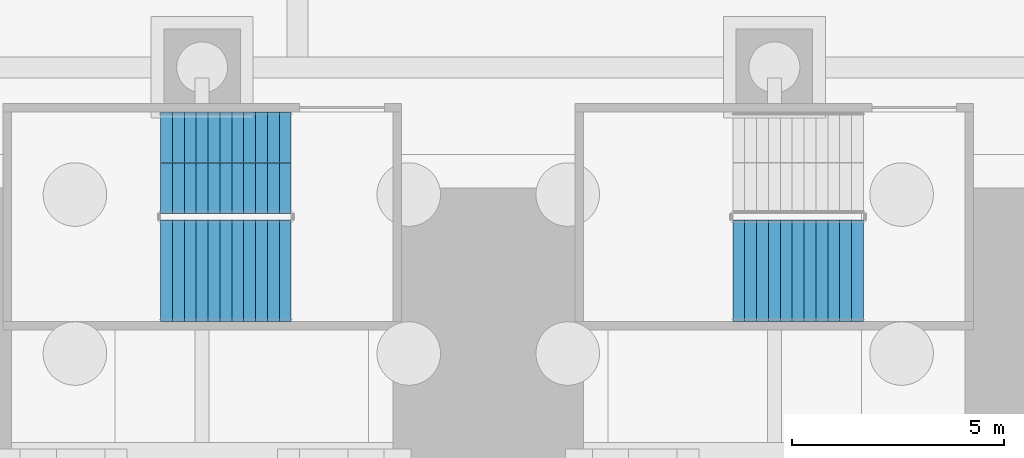
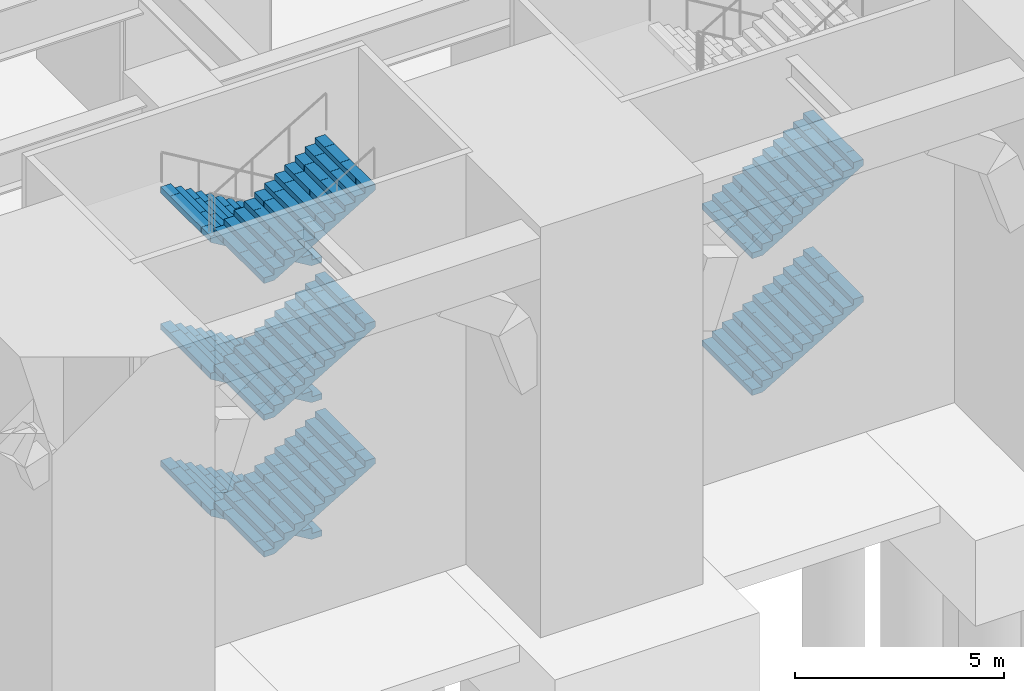
# One storey, part 14 of 34: 8 stair flights, 2 elements without a shape of their own.
"""IFC4 building model written with IfcOpenShell, lengths in metres."""

from ifc_helpers import new_model, si_unit, direction, frame, origin, place, context, subcontext, project, spatial, polyline, outline, extrude, material, type_object, element, aggregate, save


model = new_model("IFC4")

# Units and contexts
model_context = context("Model", 3, precision=1e-05, world=origin(), true_north=direction((0.0, 1.0)))
body_context = subcontext(model_context, "Body", "Model", "MODEL_VIEW")
ifc_project = project(units=[si_unit("LENGTHUNIT", "METRE"), si_unit("AREAUNIT", "SQUARE_METRE"), si_unit("VOLUMEUNIT", "CUBIC_METRE"), si_unit("PLANEANGLEUNIT", "RADIAN"), si_unit("MASSUNIT", "GRAM", prefix="KILO")], contexts=[model_context])

# Site, building, storey
site_placement = place(None, origin())
site = spatial("IfcSite", under=ifc_project, at=site_placement, CompositionType="ELEMENT")
building_placement = place(site_placement, origin())
building = spatial("IfcBuilding", under=site, at=building_placement, Name="Corbelhall Arena Tower", CompositionType="ELEMENT")
storey_placement = place(building_placement, origin())
storey = spatial("IfcBuildingStorey", under=building, at=storey_placement, Name="L00", CompositionType="ELEMENT", Elevation=0.0)

# Stair, stair flights
ifc_material = material(Name="Reinforced concrete C40/50", Category="concrete")
stair_type = type_object("IfcStairType", Name="AR-EXIT-STAIR", PredefinedType="HALF_TURN_STAIR", material=ifc_material)
stair_1_placement = place(storey_placement, origin())
stair_1 = element("IfcStair", 1, at=stair_1_placement, inside=storey, type_object=stair_type, Name="L00 exit stair AS13", PredefinedType="HALF_TURN_STAIR")
stair_flight_type = type_object("IfcStairFlightType", Name="AR-EXIT-FLIGHT", PredefinedType="STRAIGHT", material=ifc_material)
stair_flight_1_placement = place(storey_placement, frame((-18.14990234375, -31.5, 0.0), z_axis=(0.0, 0.0, 1.0), x_axis=(-1.0, 0.0, 0.0)))
stair_flight_1 = element("IfcStairFlight", 2, at=stair_flight_1_placement, type_object=stair_flight_type, Name="AS13 flight 1", NumberOfRisers=12, NumberOfTreads=11, PredefinedType="STRAIGHT", RiserHeight=0.166666667, TreadLength=0.28, context=body_context, shape_type="SweptSolid", body=[
    extrude(outline(polyline([(0.0, 0.0), (0.0, 0.166748046875), (0.280029296875, 0.166748046875), (0.280029296875, 0.333251953125), (0.56005859375, 0.333251953125), (0.56005859375, 0.5), (0.840087890625, 0.5), (0.840087890625, 0.666748046875), (1.1201171875, 0.666748046875), (1.1201171875, 0.833251953125), (1.39990234375, 0.833251953125), (1.39990234375, 1.0), (1.679931640625, 1.0), (1.679931640625, 1.166748046875), (1.9599609375, 1.166748046875), (1.9599609375, 1.333251953125), (2.239990234375, 1.333251953125), (2.239990234375, 1.5), (2.52001953125, 1.5), (2.52001953125, 1.666748046875), (2.800048828125, 1.666748046875), (2.800048828125, 1.833251953125), (3.080078125, 1.833251953125), (3.080078125, 2.0), (3.080078125, 1.658935546875), (0.29296875, 0.0), (0.0, 0.0)])), frame((0.0, 1.199951171875, 0.0), z_axis=(0.0, -1.0, 0.0), x_axis=(1.0, 0.0, 0.0)), (0.0, 0.0, 1.0), 0.449951171875),
    extrude(outline(polyline([(0.0, 0.0), (0.0, 0.166748046875), (0.280029296875, 0.166748046875), (0.280029296875, 0.333251953125), (0.56005859375, 0.333251953125), (0.56005859375, 0.5), (0.840087890625, 0.5), (0.840087890625, 0.666748046875), (1.1201171875, 0.666748046875), (1.1201171875, 0.833251953125), (1.39990234375, 0.833251953125), (1.39990234375, 1.0), (1.679931640625, 1.0), (1.679931640625, 1.166748046875), (1.9599609375, 1.166748046875), (1.9599609375, 1.333251953125), (2.239990234375, 1.333251953125), (2.239990234375, 1.5), (2.52001953125, 1.5), (2.52001953125, 1.666748046875), (2.800048828125, 1.666748046875), (2.800048828125, 1.833251953125), (3.080078125, 1.833251953125), (3.080078125, 2.0), (3.080078125, 1.658935546875), (0.29296875, 0.0), (0.0, 0.0)])), frame((0.0, 0.745849609375, 0.0), z_axis=(0.0, -1.0, 0.0), x_axis=(1.0, 0.0, 0.0)), (0.0, 0.0, 1.0), 0.743896484375),
    extrude(outline(polyline([(0.0, 0.0), (0.0, 0.166748046875), (0.280029296875, 0.166748046875), (0.280029296875, 0.333251953125), (0.56005859375, 0.333251953125), (0.56005859375, 0.5), (0.840087890625, 0.5), (0.840087890625, 0.666748046875), (1.1201171875, 0.666748046875), (1.1201171875, 0.833251953125), (1.39990234375, 0.833251953125), (1.39990234375, 1.0), (1.679931640625, 1.0), (1.679931640625, 1.166748046875), (1.9599609375, 1.166748046875), (1.9599609375, 1.333251953125), (2.239990234375, 1.333251953125), (2.239990234375, 1.5), (2.52001953125, 1.5), (2.52001953125, 1.666748046875), (2.800048828125, 1.666748046875), (2.800048828125, 1.833251953125), (3.080078125, 1.833251953125), (3.080078125, 2.0), (3.080078125, 1.658935546875), (0.29296875, 0.0), (0.0, 0.0)])), frame((0.0, -0.001953125, 0.0), z_axis=(0.0, -1.0, 0.0), x_axis=(1.0, 0.0, 0.0)), (0.0, 0.0, 1.0), 0.743896484375),
    extrude(outline(polyline([(0.0, 0.0), (0.0, 0.166748046875), (0.280029296875, 0.166748046875), (0.280029296875, 0.333251953125), (0.56005859375, 0.333251953125), (0.56005859375, 0.5), (0.840087890625, 0.5), (0.840087890625, 0.666748046875), (1.1201171875, 0.666748046875), (1.1201171875, 0.833251953125), (1.39990234375, 0.833251953125), (1.39990234375, 1.0), (1.679931640625, 1.0), (1.679931640625, 1.166748046875), (1.9599609375, 1.166748046875), (1.9599609375, 1.333251953125), (2.239990234375, 1.333251953125), (2.239990234375, 1.5), (2.52001953125, 1.5), (2.52001953125, 1.666748046875), (2.800048828125, 1.666748046875), (2.800048828125, 1.833251953125), (3.080078125, 1.833251953125), (3.080078125, 2.0), (3.080078125, 1.658935546875), (0.29296875, 0.0), (0.0, 0.0)])), frame((0.0, -0.75, 0.0), z_axis=(0.0, -1.0, 0.0), x_axis=(1.0, 0.0, 0.0)), (0.0, 0.0, 1.0), 0.449951171875),
])
stair_flight_2_placement = place(storey_placement, frame((-21.22998046875, -34.050048828125, 2.0), z_axis=(0.0, 0.0, 1.0), x_axis=(1.0, 0.0, 0.0)))
stair_flight_2 = element("IfcStairFlight", 3, at=stair_flight_2_placement, type_object=stair_flight_type, Name="AS13 flight 2", NumberOfRisers=12, NumberOfTreads=11, PredefinedType="STRAIGHT", RiserHeight=0.166666667, TreadLength=0.28, context=body_context, shape_type="SweptSolid", body=[
    extrude(outline(polyline([(0.0, 0.0), (0.0, 0.166748046875), (0.280029296875, 0.166748046875), (0.280029296875, 0.333251953125), (0.56005859375, 0.333251953125), (0.56005859375, 0.5), (0.840087890625, 0.5), (0.840087890625, 0.666748046875), (1.1201171875, 0.666748046875), (1.1201171875, 0.833251953125), (1.39990234375, 0.833251953125), (1.39990234375, 1.0), (1.679931640625, 1.0), (1.679931640625, 1.166748046875), (1.9599609375, 1.166748046875), (1.9599609375, 1.333251953125), (2.239990234375, 1.333251953125), (2.239990234375, 1.5), (2.52001953125, 1.5), (2.52001953125, 1.666748046875), (2.800048828125, 1.666748046875), (2.800048828125, 1.833251953125), (3.080078125, 1.833251953125), (3.080078125, 2.0), (3.080078125, 1.658935546875), (0.29296875, 0.0), (0.0, 0.0)])), frame((0.0, 1.199951171875, 0.0), z_axis=(0.0, -1.0, 0.0), x_axis=(1.0, 0.0, 0.0)), (0.0, 0.0, 1.0), 0.449951171875),
    extrude(outline(polyline([(0.0, 0.0), (0.0, 0.166748046875), (0.280029296875, 0.166748046875), (0.280029296875, 0.333251953125), (0.56005859375, 0.333251953125), (0.56005859375, 0.5), (0.840087890625, 0.5), (0.840087890625, 0.666748046875), (1.1201171875, 0.666748046875), (1.1201171875, 0.833251953125), (1.39990234375, 0.833251953125), (1.39990234375, 1.0), (1.679931640625, 1.0), (1.679931640625, 1.166748046875), (1.9599609375, 1.166748046875), (1.9599609375, 1.333251953125), (2.239990234375, 1.333251953125), (2.239990234375, 1.5), (2.52001953125, 1.5), (2.52001953125, 1.666748046875), (2.800048828125, 1.666748046875), (2.800048828125, 1.833251953125), (3.080078125, 1.833251953125), (3.080078125, 2.0), (3.080078125, 1.658935546875), (0.29296875, 0.0), (0.0, 0.0)])), frame((0.0, 0.745849609375, 0.0), z_axis=(0.0, -1.0, 0.0), x_axis=(1.0, 0.0, 0.0)), (0.0, 0.0, 1.0), 0.743896484375),
    extrude(outline(polyline([(0.0, 0.0), (0.0, 0.166748046875), (0.280029296875, 0.166748046875), (0.280029296875, 0.333251953125), (0.56005859375, 0.333251953125), (0.56005859375, 0.5), (0.840087890625, 0.5), (0.840087890625, 0.666748046875), (1.1201171875, 0.666748046875), (1.1201171875, 0.833251953125), (1.39990234375, 0.833251953125), (1.39990234375, 1.0), (1.679931640625, 1.0), (1.679931640625, 1.166748046875), (1.9599609375, 1.166748046875), (1.9599609375, 1.333251953125), (2.239990234375, 1.333251953125), (2.239990234375, 1.5), (2.52001953125, 1.5), (2.52001953125, 1.666748046875), (2.800048828125, 1.666748046875), (2.800048828125, 1.833251953125), (3.080078125, 1.833251953125), (3.080078125, 2.0), (3.080078125, 1.658935546875), (0.29296875, 0.0), (0.0, 0.0)])), frame((0.0, -0.001953125, 0.0), z_axis=(0.0, -1.0, 0.0), x_axis=(1.0, 0.0, 0.0)), (0.0, 0.0, 1.0), 0.743896484375),
    extrude(outline(polyline([(0.0, 0.0), (0.0, 0.166748046875), (0.280029296875, 0.166748046875), (0.280029296875, 0.333251953125), (0.56005859375, 0.333251953125), (0.56005859375, 0.5), (0.840087890625, 0.5), (0.840087890625, 0.666748046875), (1.1201171875, 0.666748046875), (1.1201171875, 0.833251953125), (1.39990234375, 0.833251953125), (1.39990234375, 1.0), (1.679931640625, 1.0), (1.679931640625, 1.166748046875), (1.9599609375, 1.166748046875), (1.9599609375, 1.333251953125), (2.239990234375, 1.333251953125), (2.239990234375, 1.5), (2.52001953125, 1.5), (2.52001953125, 1.666748046875), (2.800048828125, 1.666748046875), (2.800048828125, 1.833251953125), (3.080078125, 1.833251953125), (3.080078125, 2.0), (3.080078125, 1.658935546875), (0.29296875, 0.0), (0.0, 0.0)])), frame((0.0, -0.75, 0.0), z_axis=(0.0, -1.0, 0.0), x_axis=(1.0, 0.0, 0.0)), (0.0, 0.0, 1.0), 0.449951171875),
])
stair_flight_3_placement = place(storey_placement, frame((-18.14990234375, -31.5, 4.0), z_axis=(0.0, 0.0, 1.0), x_axis=(-1.0, 0.0, 0.0)))
stair_flight_3 = element("IfcStairFlight", 4, at=stair_flight_3_placement, type_object=stair_flight_type, Name="AS13 flight 3", NumberOfRisers=12, NumberOfTreads=11, PredefinedType="STRAIGHT", RiserHeight=0.166666667, TreadLength=0.28, context=body_context, shape_type="SweptSolid", body=[
    extrude(outline(polyline([(0.0, 0.0), (0.0, 0.166748046875), (0.280029296875, 0.166748046875), (0.280029296875, 0.333251953125), (0.56005859375, 0.333251953125), (0.56005859375, 0.5), (0.840087890625, 0.5), (0.840087890625, 0.666748046875), (1.1201171875, 0.666748046875), (1.1201171875, 0.833251953125), (1.39990234375, 0.833251953125), (1.39990234375, 1.0), (1.679931640625, 1.0), (1.679931640625, 1.166748046875), (1.9599609375, 1.166748046875), (1.9599609375, 1.333251953125), (2.239990234375, 1.333251953125), (2.239990234375, 1.5), (2.52001953125, 1.5), (2.52001953125, 1.666748046875), (2.800048828125, 1.666748046875), (2.800048828125, 1.833251953125), (3.080078125, 1.833251953125), (3.080078125, 2.0), (3.080078125, 1.658935546875), (0.29296875, 0.0), (0.0, 0.0)])), frame((0.0, 1.199951171875, 0.0), z_axis=(0.0, -1.0, 0.0), x_axis=(1.0, 0.0, 0.0)), (0.0, 0.0, 1.0), 0.449951171875),
    extrude(outline(polyline([(0.0, 0.0), (0.0, 0.166748046875), (0.280029296875, 0.166748046875), (0.280029296875, 0.333251953125), (0.56005859375, 0.333251953125), (0.56005859375, 0.5), (0.840087890625, 0.5), (0.840087890625, 0.666748046875), (1.1201171875, 0.666748046875), (1.1201171875, 0.833251953125), (1.39990234375, 0.833251953125), (1.39990234375, 1.0), (1.679931640625, 1.0), (1.679931640625, 1.166748046875), (1.9599609375, 1.166748046875), (1.9599609375, 1.333251953125), (2.239990234375, 1.333251953125), (2.239990234375, 1.5), (2.52001953125, 1.5), (2.52001953125, 1.666748046875), (2.800048828125, 1.666748046875), (2.800048828125, 1.833251953125), (3.080078125, 1.833251953125), (3.080078125, 2.0), (3.080078125, 1.658935546875), (0.29296875, 0.0), (0.0, 0.0)])), frame((0.0, 0.745849609375, 0.0), z_axis=(0.0, -1.0, 0.0), x_axis=(1.0, 0.0, 0.0)), (0.0, 0.0, 1.0), 0.743896484375),
    extrude(outline(polyline([(0.0, 0.0), (0.0, 0.166748046875), (0.280029296875, 0.166748046875), (0.280029296875, 0.333251953125), (0.56005859375, 0.333251953125), (0.56005859375, 0.5), (0.840087890625, 0.5), (0.840087890625, 0.666748046875), (1.1201171875, 0.666748046875), (1.1201171875, 0.833251953125), (1.39990234375, 0.833251953125), (1.39990234375, 1.0), (1.679931640625, 1.0), (1.679931640625, 1.166748046875), (1.9599609375, 1.166748046875), (1.9599609375, 1.333251953125), (2.239990234375, 1.333251953125), (2.239990234375, 1.5), (2.52001953125, 1.5), (2.52001953125, 1.666748046875), (2.800048828125, 1.666748046875), (2.800048828125, 1.833251953125), (3.080078125, 1.833251953125), (3.080078125, 2.0), (3.080078125, 1.658935546875), (0.29296875, 0.0), (0.0, 0.0)])), frame((0.0, -0.001953125, 0.0), z_axis=(0.0, -1.0, 0.0), x_axis=(1.0, 0.0, 0.0)), (0.0, 0.0, 1.0), 0.743896484375),
    extrude(outline(polyline([(0.0, 0.0), (0.0, 0.166748046875), (0.280029296875, 0.166748046875), (0.280029296875, 0.333251953125), (0.56005859375, 0.333251953125), (0.56005859375, 0.5), (0.840087890625, 0.5), (0.840087890625, 0.666748046875), (1.1201171875, 0.666748046875), (1.1201171875, 0.833251953125), (1.39990234375, 0.833251953125), (1.39990234375, 1.0), (1.679931640625, 1.0), (1.679931640625, 1.166748046875), (1.9599609375, 1.166748046875), (1.9599609375, 1.333251953125), (2.239990234375, 1.333251953125), (2.239990234375, 1.5), (2.52001953125, 1.5), (2.52001953125, 1.666748046875), (2.800048828125, 1.666748046875), (2.800048828125, 1.833251953125), (3.080078125, 1.833251953125), (3.080078125, 2.0), (3.080078125, 1.658935546875), (0.29296875, 0.0), (0.0, 0.0)])), frame((0.0, -0.75, 0.0), z_axis=(0.0, -1.0, 0.0), x_axis=(1.0, 0.0, 0.0)), (0.0, 0.0, 1.0), 0.449951171875),
])
stair_flight_4_placement = place(storey_placement, frame((-21.22998046875, -34.050048828125, 6.0), z_axis=(0.0, 0.0, 1.0), x_axis=(1.0, 0.0, 0.0)))
stair_flight_4 = element("IfcStairFlight", 5, at=stair_flight_4_placement, type_object=stair_flight_type, Name="AS13 flight 4", NumberOfRisers=12, NumberOfTreads=11, PredefinedType="STRAIGHT", RiserHeight=0.166666667, TreadLength=0.28, context=body_context, shape_type="SweptSolid", body=[
    extrude(outline(polyline([(0.0, 0.0), (0.0, 0.166748046875), (0.280029296875, 0.166748046875), (0.280029296875, 0.333251953125), (0.56005859375, 0.333251953125), (0.56005859375, 0.5), (0.840087890625, 0.5), (0.840087890625, 0.666748046875), (1.1201171875, 0.666748046875), (1.1201171875, 0.833251953125), (1.39990234375, 0.833251953125), (1.39990234375, 1.0), (1.679931640625, 1.0), (1.679931640625, 1.166748046875), (1.9599609375, 1.166748046875), (1.9599609375, 1.333251953125), (2.239990234375, 1.333251953125), (2.239990234375, 1.5), (2.52001953125, 1.5), (2.52001953125, 1.666748046875), (2.800048828125, 1.666748046875), (2.800048828125, 1.833251953125), (3.080078125, 1.833251953125), (3.080078125, 2.0), (3.080078125, 1.658935546875), (0.29296875, 0.0), (0.0, 0.0)])), frame((0.0, 1.199951171875, 0.0), z_axis=(0.0, -1.0, 0.0), x_axis=(1.0, 0.0, 0.0)), (0.0, 0.0, 1.0), 0.449951171875),
    extrude(outline(polyline([(0.0, 0.0), (0.0, 0.166748046875), (0.280029296875, 0.166748046875), (0.280029296875, 0.333251953125), (0.56005859375, 0.333251953125), (0.56005859375, 0.5), (0.840087890625, 0.5), (0.840087890625, 0.666748046875), (1.1201171875, 0.666748046875), (1.1201171875, 0.833251953125), (1.39990234375, 0.833251953125), (1.39990234375, 1.0), (1.679931640625, 1.0), (1.679931640625, 1.166748046875), (1.9599609375, 1.166748046875), (1.9599609375, 1.333251953125), (2.239990234375, 1.333251953125), (2.239990234375, 1.5), (2.52001953125, 1.5), (2.52001953125, 1.666748046875), (2.800048828125, 1.666748046875), (2.800048828125, 1.833251953125), (3.080078125, 1.833251953125), (3.080078125, 2.0), (3.080078125, 1.658935546875), (0.29296875, 0.0), (0.0, 0.0)])), frame((0.0, 0.745849609375, 0.0), z_axis=(0.0, -1.0, 0.0), x_axis=(1.0, 0.0, 0.0)), (0.0, 0.0, 1.0), 0.743896484375),
    extrude(outline(polyline([(0.0, 0.0), (0.0, 0.166748046875), (0.280029296875, 0.166748046875), (0.280029296875, 0.333251953125), (0.56005859375, 0.333251953125), (0.56005859375, 0.5), (0.840087890625, 0.5), (0.840087890625, 0.666748046875), (1.1201171875, 0.666748046875), (1.1201171875, 0.833251953125), (1.39990234375, 0.833251953125), (1.39990234375, 1.0), (1.679931640625, 1.0), (1.679931640625, 1.166748046875), (1.9599609375, 1.166748046875), (1.9599609375, 1.333251953125), (2.239990234375, 1.333251953125), (2.239990234375, 1.5), (2.52001953125, 1.5), (2.52001953125, 1.666748046875), (2.800048828125, 1.666748046875), (2.800048828125, 1.833251953125), (3.080078125, 1.833251953125), (3.080078125, 2.0), (3.080078125, 1.658935546875), (0.29296875, 0.0), (0.0, 0.0)])), frame((0.0, -0.001953125, 0.0), z_axis=(0.0, -1.0, 0.0), x_axis=(1.0, 0.0, 0.0)), (0.0, 0.0, 1.0), 0.743896484375),
    extrude(outline(polyline([(0.0, 0.0), (0.0, 0.166748046875), (0.280029296875, 0.166748046875), (0.280029296875, 0.333251953125), (0.56005859375, 0.333251953125), (0.56005859375, 0.5), (0.840087890625, 0.5), (0.840087890625, 0.666748046875), (1.1201171875, 0.666748046875), (1.1201171875, 0.833251953125), (1.39990234375, 0.833251953125), (1.39990234375, 1.0), (1.679931640625, 1.0), (1.679931640625, 1.166748046875), (1.9599609375, 1.166748046875), (1.9599609375, 1.333251953125), (2.239990234375, 1.333251953125), (2.239990234375, 1.5), (2.52001953125, 1.5), (2.52001953125, 1.666748046875), (2.800048828125, 1.666748046875), (2.800048828125, 1.833251953125), (3.080078125, 1.833251953125), (3.080078125, 2.0), (3.080078125, 1.658935546875), (0.29296875, 0.0), (0.0, 0.0)])), frame((0.0, -0.75, 0.0), z_axis=(0.0, -1.0, 0.0), x_axis=(1.0, 0.0, 0.0)), (0.0, 0.0, 1.0), 0.449951171875),
])
stair_flight_5_placement = place(storey_placement, frame((-18.14990234375, -31.5, 8.0), z_axis=(0.0, 0.0, 1.0), x_axis=(-1.0, 0.0, 0.0)))
stair_flight_5 = element("IfcStairFlight", 6, at=stair_flight_5_placement, type_object=stair_flight_type, Name="AS13 flight 5", NumberOfRisers=12, NumberOfTreads=11, PredefinedType="STRAIGHT", RiserHeight=0.166666667, TreadLength=0.28, context=body_context, shape_type="SweptSolid", body=[
    extrude(outline(polyline([(0.0, 0.0), (0.0, 0.166748046875), (0.280029296875, 0.166748046875), (0.280029296875, 0.333251953125), (0.56005859375, 0.333251953125), (0.56005859375, 0.5), (0.840087890625, 0.5), (0.840087890625, 0.666748046875), (1.1201171875, 0.666748046875), (1.1201171875, 0.833251953125), (1.39990234375, 0.833251953125), (1.39990234375, 1.0), (1.679931640625, 1.0), (1.679931640625, 1.166748046875), (1.9599609375, 1.166748046875), (1.9599609375, 1.333251953125), (2.239990234375, 1.333251953125), (2.239990234375, 1.5), (2.52001953125, 1.5), (2.52001953125, 1.666748046875), (2.800048828125, 1.666748046875), (2.800048828125, 1.833251953125), (3.080078125, 1.833251953125), (3.080078125, 2.0), (3.080078125, 1.658935546875), (0.29296875, 0.0), (0.0, 0.0)])), frame((0.0, 1.199951171875, 0.0), z_axis=(0.0, -1.0, 0.0), x_axis=(1.0, 0.0, 0.0)), (0.0, 0.0, 1.0), 0.449951171875),
    extrude(outline(polyline([(0.0, 0.0), (0.0, 0.166748046875), (0.280029296875, 0.166748046875), (0.280029296875, 0.333251953125), (0.56005859375, 0.333251953125), (0.56005859375, 0.5), (0.840087890625, 0.5), (0.840087890625, 0.666748046875), (1.1201171875, 0.666748046875), (1.1201171875, 0.833251953125), (1.39990234375, 0.833251953125), (1.39990234375, 1.0), (1.679931640625, 1.0), (1.679931640625, 1.166748046875), (1.9599609375, 1.166748046875), (1.9599609375, 1.333251953125), (2.239990234375, 1.333251953125), (2.239990234375, 1.5), (2.52001953125, 1.5), (2.52001953125, 1.666748046875), (2.800048828125, 1.666748046875), (2.800048828125, 1.833251953125), (3.080078125, 1.833251953125), (3.080078125, 2.0), (3.080078125, 1.658935546875), (0.29296875, 0.0), (0.0, 0.0)])), frame((0.0, 0.745849609375, 0.0), z_axis=(0.0, -1.0, 0.0), x_axis=(1.0, 0.0, 0.0)), (0.0, 0.0, 1.0), 0.743896484375),
    extrude(outline(polyline([(0.0, 0.0), (0.0, 0.166748046875), (0.280029296875, 0.166748046875), (0.280029296875, 0.333251953125), (0.56005859375, 0.333251953125), (0.56005859375, 0.5), (0.840087890625, 0.5), (0.840087890625, 0.666748046875), (1.1201171875, 0.666748046875), (1.1201171875, 0.833251953125), (1.39990234375, 0.833251953125), (1.39990234375, 1.0), (1.679931640625, 1.0), (1.679931640625, 1.166748046875), (1.9599609375, 1.166748046875), (1.9599609375, 1.333251953125), (2.239990234375, 1.333251953125), (2.239990234375, 1.5), (2.52001953125, 1.5), (2.52001953125, 1.666748046875), (2.800048828125, 1.666748046875), (2.800048828125, 1.833251953125), (3.080078125, 1.833251953125), (3.080078125, 2.0), (3.080078125, 1.658935546875), (0.29296875, 0.0), (0.0, 0.0)])), frame((0.0, -0.001953125, 0.0), z_axis=(0.0, -1.0, 0.0), x_axis=(1.0, 0.0, 0.0)), (0.0, 0.0, 1.0), 0.743896484375),
    extrude(outline(polyline([(0.0, 0.0), (0.0, 0.166748046875), (0.280029296875, 0.166748046875), (0.280029296875, 0.333251953125), (0.56005859375, 0.333251953125), (0.56005859375, 0.5), (0.840087890625, 0.5), (0.840087890625, 0.666748046875), (1.1201171875, 0.666748046875), (1.1201171875, 0.833251953125), (1.39990234375, 0.833251953125), (1.39990234375, 1.0), (1.679931640625, 1.0), (1.679931640625, 1.166748046875), (1.9599609375, 1.166748046875), (1.9599609375, 1.333251953125), (2.239990234375, 1.333251953125), (2.239990234375, 1.5), (2.52001953125, 1.5), (2.52001953125, 1.666748046875), (2.800048828125, 1.666748046875), (2.800048828125, 1.833251953125), (3.080078125, 1.833251953125), (3.080078125, 2.0), (3.080078125, 1.658935546875), (0.29296875, 0.0), (0.0, 0.0)])), frame((0.0, -0.75, 0.0), z_axis=(0.0, -1.0, 0.0), x_axis=(1.0, 0.0, 0.0)), (0.0, 0.0, 1.0), 0.449951171875),
])
stair_flight_6_placement = place(storey_placement, frame((-21.22998046875, -34.050048828125, 10.0), z_axis=(0.0, 0.0, 1.0), x_axis=(1.0, 0.0, 0.0)))
stair_flight_6 = element("IfcStairFlight", 7, at=stair_flight_6_placement, type_object=stair_flight_type, Name="AS13 flight 6", NumberOfRisers=12, NumberOfTreads=11, PredefinedType="STRAIGHT", RiserHeight=0.166666667, TreadLength=0.28, context=body_context, shape_type="SweptSolid", body=[
    extrude(outline(polyline([(0.0, 0.0), (0.0, 0.166748046875), (0.280029296875, 0.166748046875), (0.280029296875, 0.333251953125), (0.56005859375, 0.333251953125), (0.56005859375, 0.5), (0.840087890625, 0.5), (0.840087890625, 0.666748046875), (1.1201171875, 0.666748046875), (1.1201171875, 0.833251953125), (1.39990234375, 0.833251953125), (1.39990234375, 1.0), (1.679931640625, 1.0), (1.679931640625, 1.166748046875), (1.9599609375, 1.166748046875), (1.9599609375, 1.333251953125), (2.239990234375, 1.333251953125), (2.239990234375, 1.5), (2.52001953125, 1.5), (2.52001953125, 1.666748046875), (2.800048828125, 1.666748046875), (2.800048828125, 1.833251953125), (3.080078125, 1.833251953125), (3.080078125, 2.0), (3.080078125, 1.658935546875), (0.29296875, 0.0), (0.0, 0.0)])), frame((0.0, 1.199951171875, 0.0), z_axis=(0.0, -1.0, 0.0), x_axis=(1.0, 0.0, 0.0)), (0.0, 0.0, 1.0), 0.449951171875),
    extrude(outline(polyline([(0.0, 0.0), (0.0, 0.166748046875), (0.280029296875, 0.166748046875), (0.280029296875, 0.333251953125), (0.56005859375, 0.333251953125), (0.56005859375, 0.5), (0.840087890625, 0.5), (0.840087890625, 0.666748046875), (1.1201171875, 0.666748046875), (1.1201171875, 0.833251953125), (1.39990234375, 0.833251953125), (1.39990234375, 1.0), (1.679931640625, 1.0), (1.679931640625, 1.166748046875), (1.9599609375, 1.166748046875), (1.9599609375, 1.333251953125), (2.239990234375, 1.333251953125), (2.239990234375, 1.5), (2.52001953125, 1.5), (2.52001953125, 1.666748046875), (2.800048828125, 1.666748046875), (2.800048828125, 1.833251953125), (3.080078125, 1.833251953125), (3.080078125, 2.0), (3.080078125, 1.658935546875), (0.29296875, 0.0), (0.0, 0.0)])), frame((0.0, 0.745849609375, 0.0), z_axis=(0.0, -1.0, 0.0), x_axis=(1.0, 0.0, 0.0)), (0.0, 0.0, 1.0), 0.743896484375),
    extrude(outline(polyline([(0.0, 0.0), (0.0, 0.166748046875), (0.280029296875, 0.166748046875), (0.280029296875, 0.333251953125), (0.56005859375, 0.333251953125), (0.56005859375, 0.5), (0.840087890625, 0.5), (0.840087890625, 0.666748046875), (1.1201171875, 0.666748046875), (1.1201171875, 0.833251953125), (1.39990234375, 0.833251953125), (1.39990234375, 1.0), (1.679931640625, 1.0), (1.679931640625, 1.166748046875), (1.9599609375, 1.166748046875), (1.9599609375, 1.333251953125), (2.239990234375, 1.333251953125), (2.239990234375, 1.5), (2.52001953125, 1.5), (2.52001953125, 1.666748046875), (2.800048828125, 1.666748046875), (2.800048828125, 1.833251953125), (3.080078125, 1.833251953125), (3.080078125, 2.0), (3.080078125, 1.658935546875), (0.29296875, 0.0), (0.0, 0.0)])), frame((0.0, -0.001953125, 0.0), z_axis=(0.0, -1.0, 0.0), x_axis=(1.0, 0.0, 0.0)), (0.0, 0.0, 1.0), 0.743896484375),
    extrude(outline(polyline([(0.0, 0.0), (0.0, 0.166748046875), (0.280029296875, 0.166748046875), (0.280029296875, 0.333251953125), (0.56005859375, 0.333251953125), (0.56005859375, 0.5), (0.840087890625, 0.5), (0.840087890625, 0.666748046875), (1.1201171875, 0.666748046875), (1.1201171875, 0.833251953125), (1.39990234375, 0.833251953125), (1.39990234375, 1.0), (1.679931640625, 1.0), (1.679931640625, 1.166748046875), (1.9599609375, 1.166748046875), (1.9599609375, 1.333251953125), (2.239990234375, 1.333251953125), (2.239990234375, 1.5), (2.52001953125, 1.5), (2.52001953125, 1.666748046875), (2.800048828125, 1.666748046875), (2.800048828125, 1.833251953125), (3.080078125, 1.833251953125), (3.080078125, 2.0), (3.080078125, 1.658935546875), (0.29296875, 0.0), (0.0, 0.0)])), frame((0.0, -0.75, 0.0), z_axis=(0.0, -1.0, 0.0), x_axis=(1.0, 0.0, 0.0)), (0.0, 0.0, 1.0), 0.449951171875),
])
aggregate(stair_1, [stair_flight_1, stair_flight_2, stair_flight_3, stair_flight_4, stair_flight_5, stair_flight_6])

stair_2_placement = place(storey_placement, origin())
stair_2 = element("IfcStair", 8, at=stair_2_placement, inside=storey, type_object=stair_type, Name="L00 exit stair AS14", PredefinedType="HALF_TURN_STAIR")
stair_flight_7_placement = place(storey_placement, frame((-7.72998046875, -34.050048828125, 2.0), z_axis=(0.0, 0.0, 1.0), x_axis=(1.0, 0.0, 0.0)))
stair_flight_7 = element("IfcStairFlight", 9, at=stair_flight_7_placement, type_object=stair_flight_type, Name="AS14 flight 2", NumberOfRisers=12, NumberOfTreads=11, PredefinedType="STRAIGHT", RiserHeight=0.166666667, TreadLength=0.28, context=body_context, shape_type="SweptSolid", body=[
    extrude(outline(polyline([(0.0, 0.0), (0.0, 0.166748046875), (0.280029296875, 0.166748046875), (0.280029296875, 0.333251953125), (0.56005859375, 0.333251953125), (0.56005859375, 0.5), (0.840087890625, 0.5), (0.840087890625, 0.666748046875), (1.1201171875, 0.666748046875), (1.1201171875, 0.833251953125), (1.39990234375, 0.833251953125), (1.39990234375, 1.0), (1.679931640625, 1.0), (1.679931640625, 1.166748046875), (1.9599609375, 1.166748046875), (1.9599609375, 1.333251953125), (2.239990234375, 1.333251953125), (2.239990234375, 1.5), (2.52001953125, 1.5), (2.52001953125, 1.666748046875), (2.800048828125, 1.666748046875), (2.800048828125, 1.833251953125), (3.080078125, 1.833251953125), (3.080078125, 2.0), (3.080078125, 1.658935546875), (0.29296875, 0.0), (0.0, 0.0)])), frame((0.0, 1.199951171875, 0.0), z_axis=(0.0, -1.0, 0.0), x_axis=(1.0, 0.0, 0.0)), (0.0, 0.0, 1.0), 0.449951171875),
    extrude(outline(polyline([(0.0, 0.0), (0.0, 0.166748046875), (0.280029296875, 0.166748046875), (0.280029296875, 0.333251953125), (0.56005859375, 0.333251953125), (0.56005859375, 0.5), (0.840087890625, 0.5), (0.840087890625, 0.666748046875), (1.1201171875, 0.666748046875), (1.1201171875, 0.833251953125), (1.39990234375, 0.833251953125), (1.39990234375, 1.0), (1.679931640625, 1.0), (1.679931640625, 1.166748046875), (1.9599609375, 1.166748046875), (1.9599609375, 1.333251953125), (2.239990234375, 1.333251953125), (2.239990234375, 1.5), (2.52001953125, 1.5), (2.52001953125, 1.666748046875), (2.800048828125, 1.666748046875), (2.800048828125, 1.833251953125), (3.080078125, 1.833251953125), (3.080078125, 2.0), (3.080078125, 1.658935546875), (0.29296875, 0.0), (0.0, 0.0)])), frame((0.0, 0.745849609375, 0.0), z_axis=(0.0, -1.0, 0.0), x_axis=(1.0, 0.0, 0.0)), (0.0, 0.0, 1.0), 0.743896484375),
    extrude(outline(polyline([(0.0, 0.0), (0.0, 0.166748046875), (0.280029296875, 0.166748046875), (0.280029296875, 0.333251953125), (0.56005859375, 0.333251953125), (0.56005859375, 0.5), (0.840087890625, 0.5), (0.840087890625, 0.666748046875), (1.1201171875, 0.666748046875), (1.1201171875, 0.833251953125), (1.39990234375, 0.833251953125), (1.39990234375, 1.0), (1.679931640625, 1.0), (1.679931640625, 1.166748046875), (1.9599609375, 1.166748046875), (1.9599609375, 1.333251953125), (2.239990234375, 1.333251953125), (2.239990234375, 1.5), (2.52001953125, 1.5), (2.52001953125, 1.666748046875), (2.800048828125, 1.666748046875), (2.800048828125, 1.833251953125), (3.080078125, 1.833251953125), (3.080078125, 2.0), (3.080078125, 1.658935546875), (0.29296875, 0.0), (0.0, 0.0)])), frame((0.0, -0.001953125, 0.0), z_axis=(0.0, -1.0, 0.0), x_axis=(1.0, 0.0, 0.0)), (0.0, 0.0, 1.0), 0.743896484375),
    extrude(outline(polyline([(0.0, 0.0), (0.0, 0.166748046875), (0.280029296875, 0.166748046875), (0.280029296875, 0.333251953125), (0.56005859375, 0.333251953125), (0.56005859375, 0.5), (0.840087890625, 0.5), (0.840087890625, 0.666748046875), (1.1201171875, 0.666748046875), (1.1201171875, 0.833251953125), (1.39990234375, 0.833251953125), (1.39990234375, 1.0), (1.679931640625, 1.0), (1.679931640625, 1.166748046875), (1.9599609375, 1.166748046875), (1.9599609375, 1.333251953125), (2.239990234375, 1.333251953125), (2.239990234375, 1.5), (2.52001953125, 1.5), (2.52001953125, 1.666748046875), (2.800048828125, 1.666748046875), (2.800048828125, 1.833251953125), (3.080078125, 1.833251953125), (3.080078125, 2.0), (3.080078125, 1.658935546875), (0.29296875, 0.0), (0.0, 0.0)])), frame((0.0, -0.75, 0.0), z_axis=(0.0, -1.0, 0.0), x_axis=(1.0, 0.0, 0.0)), (0.0, 0.0, 1.0), 0.449951171875),
])
stair_flight_8_placement = place(storey_placement, frame((-7.72998046875, -34.050048828125, 6.0), z_axis=(0.0, 0.0, 1.0), x_axis=(1.0, 0.0, 0.0)))
stair_flight_8 = element("IfcStairFlight", 10, at=stair_flight_8_placement, type_object=stair_flight_type, Name="AS14 flight 4", NumberOfRisers=12, NumberOfTreads=11, PredefinedType="STRAIGHT", RiserHeight=0.166666667, TreadLength=0.28, context=body_context, shape_type="SweptSolid", body=[
    extrude(outline(polyline([(0.0, 0.0), (0.0, 0.166748046875), (0.280029296875, 0.166748046875), (0.280029296875, 0.333251953125), (0.56005859375, 0.333251953125), (0.56005859375, 0.5), (0.840087890625, 0.5), (0.840087890625, 0.666748046875), (1.1201171875, 0.666748046875), (1.1201171875, 0.833251953125), (1.39990234375, 0.833251953125), (1.39990234375, 1.0), (1.679931640625, 1.0), (1.679931640625, 1.166748046875), (1.9599609375, 1.166748046875), (1.9599609375, 1.333251953125), (2.239990234375, 1.333251953125), (2.239990234375, 1.5), (2.52001953125, 1.5), (2.52001953125, 1.666748046875), (2.800048828125, 1.666748046875), (2.800048828125, 1.833251953125), (3.080078125, 1.833251953125), (3.080078125, 2.0), (3.080078125, 1.658935546875), (0.29296875, 0.0), (0.0, 0.0)])), frame((0.0, 1.199951171875, 0.0), z_axis=(0.0, -1.0, 0.0), x_axis=(1.0, 0.0, 0.0)), (0.0, 0.0, 1.0), 0.449951171875),
    extrude(outline(polyline([(0.0, 0.0), (0.0, 0.166748046875), (0.280029296875, 0.166748046875), (0.280029296875, 0.333251953125), (0.56005859375, 0.333251953125), (0.56005859375, 0.5), (0.840087890625, 0.5), (0.840087890625, 0.666748046875), (1.1201171875, 0.666748046875), (1.1201171875, 0.833251953125), (1.39990234375, 0.833251953125), (1.39990234375, 1.0), (1.679931640625, 1.0), (1.679931640625, 1.166748046875), (1.9599609375, 1.166748046875), (1.9599609375, 1.333251953125), (2.239990234375, 1.333251953125), (2.239990234375, 1.5), (2.52001953125, 1.5), (2.52001953125, 1.666748046875), (2.800048828125, 1.666748046875), (2.800048828125, 1.833251953125), (3.080078125, 1.833251953125), (3.080078125, 2.0), (3.080078125, 1.658935546875), (0.29296875, 0.0), (0.0, 0.0)])), frame((0.0, 0.745849609375, 0.0), z_axis=(0.0, -1.0, 0.0), x_axis=(1.0, 0.0, 0.0)), (0.0, 0.0, 1.0), 0.743896484375),
    extrude(outline(polyline([(0.0, 0.0), (0.0, 0.166748046875), (0.280029296875, 0.166748046875), (0.280029296875, 0.333251953125), (0.56005859375, 0.333251953125), (0.56005859375, 0.5), (0.840087890625, 0.5), (0.840087890625, 0.666748046875), (1.1201171875, 0.666748046875), (1.1201171875, 0.833251953125), (1.39990234375, 0.833251953125), (1.39990234375, 1.0), (1.679931640625, 1.0), (1.679931640625, 1.166748046875), (1.9599609375, 1.166748046875), (1.9599609375, 1.333251953125), (2.239990234375, 1.333251953125), (2.239990234375, 1.5), (2.52001953125, 1.5), (2.52001953125, 1.666748046875), (2.800048828125, 1.666748046875), (2.800048828125, 1.833251953125), (3.080078125, 1.833251953125), (3.080078125, 2.0), (3.080078125, 1.658935546875), (0.29296875, 0.0), (0.0, 0.0)])), frame((0.0, -0.001953125, 0.0), z_axis=(0.0, -1.0, 0.0), x_axis=(1.0, 0.0, 0.0)), (0.0, 0.0, 1.0), 0.743896484375),
    extrude(outline(polyline([(0.0, 0.0), (0.0, 0.166748046875), (0.280029296875, 0.166748046875), (0.280029296875, 0.333251953125), (0.56005859375, 0.333251953125), (0.56005859375, 0.5), (0.840087890625, 0.5), (0.840087890625, 0.666748046875), (1.1201171875, 0.666748046875), (1.1201171875, 0.833251953125), (1.39990234375, 0.833251953125), (1.39990234375, 1.0), (1.679931640625, 1.0), (1.679931640625, 1.166748046875), (1.9599609375, 1.166748046875), (1.9599609375, 1.333251953125), (2.239990234375, 1.333251953125), (2.239990234375, 1.5), (2.52001953125, 1.5), (2.52001953125, 1.666748046875), (2.800048828125, 1.666748046875), (2.800048828125, 1.833251953125), (3.080078125, 1.833251953125), (3.080078125, 2.0), (3.080078125, 1.658935546875), (0.29296875, 0.0), (0.0, 0.0)])), frame((0.0, -0.75, 0.0), z_axis=(0.0, -1.0, 0.0), x_axis=(1.0, 0.0, 0.0)), (0.0, 0.0, 1.0), 0.449951171875),
])
aggregate(stair_2, [stair_flight_7, stair_flight_8])

save(model, "model.ifc")
